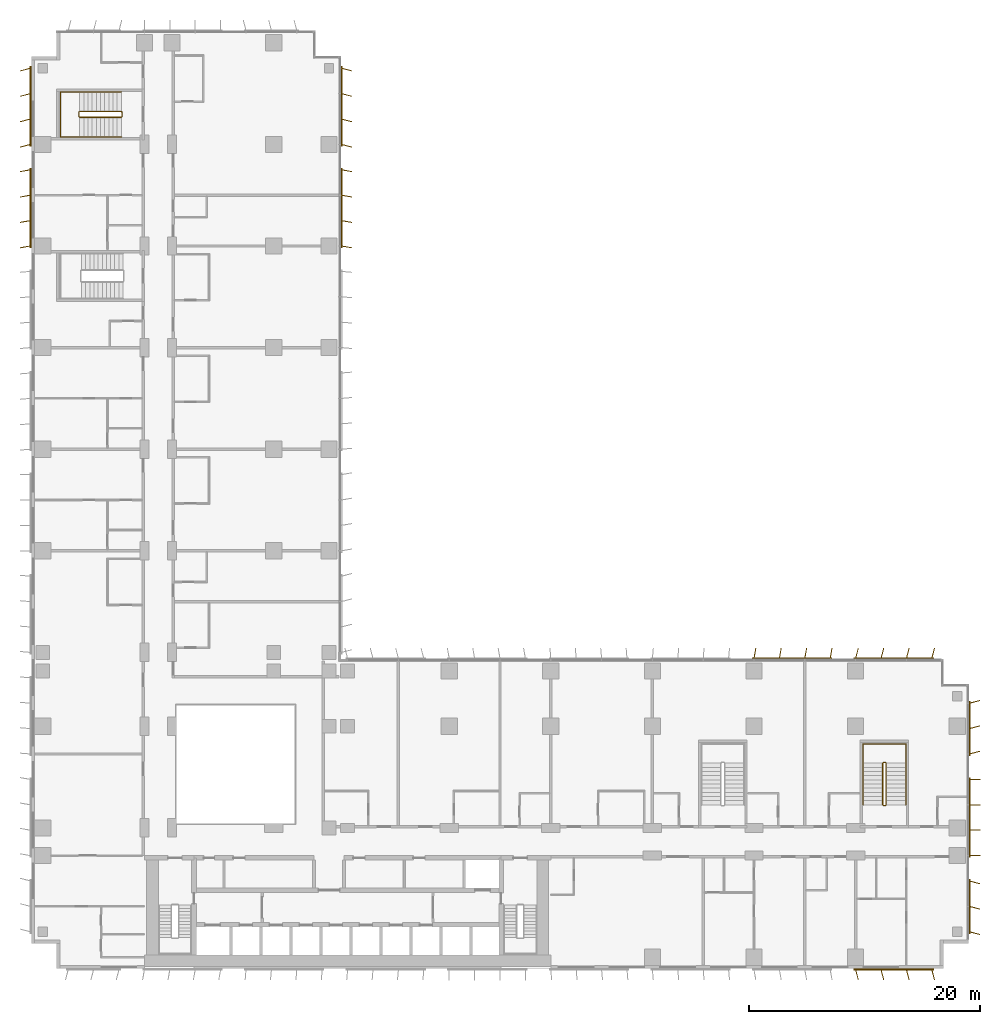
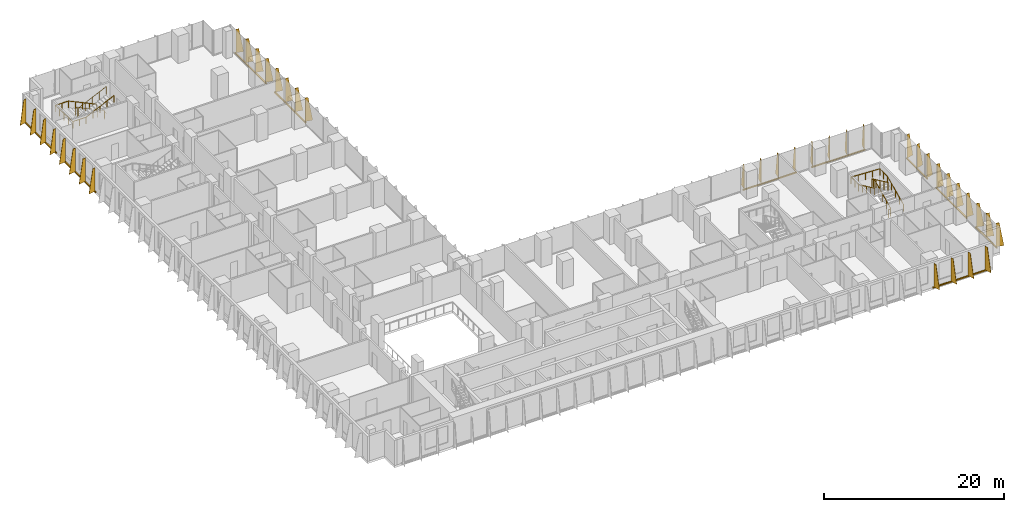
# One storey, part 23 of 24: 10 shading devices, 4 railings.
"""IFC4 building model written with IfcOpenShell, lengths in metres."""

from ifc_helpers import new_model, si_unit, direction, frame, origin, origin_2d, place, context, subcontext, project, spatial, polyline, rectangle, circle, outline, extrude, source, transform, mapped, material, layer, layer_set, type_object, element, save


model = new_model("IFC4")

# Units and contexts
model_context = context("Model", 3, precision=1e-05, world=origin(), true_north=direction((0.0, 1.0)))
body_context = subcontext(model_context, "Body", "Model", "MODEL_VIEW")
ifc_project = project(units=[si_unit("LENGTHUNIT", "METRE"), si_unit("AREAUNIT", "SQUARE_METRE"), si_unit("VOLUMEUNIT", "CUBIC_METRE"), si_unit("PLANEANGLEUNIT", "RADIAN"), si_unit("MASSUNIT", "GRAM", prefix="KILO")], contexts=[model_context])

# Site, building, storey
site_placement = place(None, origin())
site = spatial("IfcSite", under=ifc_project, at=site_placement, CompositionType="ELEMENT")
building_placement = place(site_placement, origin())
building = spatial("IfcBuilding", under=site, at=building_placement, Name="Kemantara Hotel Tower", CompositionType="ELEMENT")
storey_placement = place(building_placement, frame((0.0, 0.0, 76.0)))
storey = spatial("IfcBuildingStorey", under=building, at=storey_placement, Name="L17", CompositionType="ELEMENT", Elevation=76.0)

# Railings
ifc_material_1 = material(Name="Stainless steel balustrade", Category="steel")
railing_type_1 = type_object("IfcRailingType", Name="Stair guard 1100 mm", PredefinedType="GUARDRAIL", material=ifc_material_1)
railing_1_placement = place(storey_placement, frame((73.75, 14.199951171875, 3.699951171875)))
element("IfcRailing", 1, at=railing_1_placement, inside=storey, type_object=railing_type_1, Name="L17 ST5 stair guard 1", PredefinedType="GUARDRAIL", context=body_context, shape_type="SweptSolid", body=[
    extrude(circle(Radius=0.02392578125, at=origin_2d()), frame((0.0, 0.0, 1.076171875), z_axis=(0.0, 0.906005689286, -0.423265508849), x_axis=(-1.0, 0.0, 0.0)), (0.0, 0.0, 1.0), 3.9736328125),
    extrude(circle(Radius=0.02392578125, at=origin_2d()), frame((0.0, 3.60009765625, -0.60595703125), z_axis=(0.274582412415, 0.274582412415, -0.921525364591), x_axis=(-0.707106781187, 0.707106781187, 0.0)), (0.0, 0.0, 1.0), 0.182373046875),
    extrude(circle(Radius=0.02392578125, at=origin_2d()), frame((0.050048828125, 3.650146484375, -0.77392578125), z_axis=(1.0, 0.0, 0.0), x_axis=(0.0, 1.0, 0.0)), (0.0, 0.0, 1.0), 0.199951171875),
    extrude(circle(Radius=0.02392578125, at=origin_2d()), frame((0.25, 3.650146484375, -0.77392578125), z_axis=(0.707106781187, -0.707106781187, 0.0), x_axis=(0.707106781187, 0.707106781187, 0.0)), (0.0, 0.0, 1.0), 0.07080078125),
    extrude(circle(Radius=0.02392578125, at=origin_2d()), frame((0.300048828125, 3.60009765625, -0.77392578125), z_axis=(0.0, -0.906005689286, -0.423265508849), x_axis=(1.0, 0.0, 0.0)), (0.0, 0.0, 1.0), 3.9736328125),
    extrude(circle(Radius=0.02392578125, at=origin_2d()), frame((0.300048828125, 0.0, -2.45556640625), z_axis=(-0.274243871929, -0.274243871929, -0.92172696468), x_axis=(0.707106781187, -0.707106781187, 0.0)), (0.0, 0.0, 1.0), 0.1826171875),
    extrude(circle(Radius=0.02392578125, at=origin_2d()), frame((0.25, -0.050048828125, -2.6240234375), z_axis=(-1.0, 0.0, 0.0), x_axis=(0.0, -1.0, 0.0)), (0.0, 0.0, 1.0), 0.199951171875),
    extrude(circle(Radius=0.02099609375, at=origin_2d()), origin(), (0.0, 0.0, 1.0), 1.052001953125),
    extrude(circle(Radius=0.02099609375, at=origin_2d()), frame((0.0, 0.89990234375, -0.42041015625)), (0.0, 0.0, 1.0), 1.052001953125),
    extrude(circle(Radius=0.02099609375, at=origin_2d()), frame((0.0, 1.800048828125, -0.8408203125)), (0.0, 0.0, 1.0), 1.052001953125),
    extrude(circle(Radius=0.02099609375, at=origin_2d()), frame((0.0, 2.7001953125, -1.261474609375)), (0.0, 0.0, 1.0), 1.052001953125),
    extrude(circle(Radius=0.02099609375, at=origin_2d()), frame((0.0, 3.60009765625, -1.681884765625)), (0.0, 0.0, 1.0), 1.052001953125),
    extrude(circle(Radius=0.02099609375, at=origin_2d()), frame((0.050048828125, 3.650146484375, -1.849853515625)), (0.0, 0.0, 1.0), 1.052001953125),
    extrude(circle(Radius=0.02099609375, at=origin_2d()), frame((0.25, 3.650146484375, -1.849853515625)), (0.0, 0.0, 1.0), 1.052001953125),
    extrude(circle(Radius=0.02099609375, at=origin_2d()), frame((0.300048828125, 3.60009765625, -1.849853515625)), (0.0, 0.0, 1.0), 1.052001953125),
    extrude(circle(Radius=0.02099609375, at=origin_2d()), frame((0.300048828125, 2.7001953125, -2.270263671875)), (0.0, 0.0, 1.0), 1.052001953125),
    extrude(circle(Radius=0.02099609375, at=origin_2d()), frame((0.300048828125, 1.800048828125, -2.69091796875)), (0.0, 0.0, 1.0), 1.052001953125),
    extrude(circle(Radius=0.02099609375, at=origin_2d()), frame((0.300048828125, 0.89990234375, -3.111328125)), (0.0, 0.0, 1.0), 1.052001953125),
    extrude(circle(Radius=0.02099609375, at=origin_2d()), frame((0.300048828125, 0.0, -3.53173828125)), (0.0, 0.0, 1.0), 1.052001953125),
    extrude(circle(Radius=0.02099609375, at=origin_2d()), frame((0.25, -0.050048828125, -3.699951171875)), (0.0, 0.0, 1.0), 1.052001953125),
    extrude(circle(Radius=0.02099609375, at=origin_2d()), frame((0.050048828125, -0.050048828125, -3.699951171875)), (0.0, 0.0, 1.0), 1.052001953125),
])
railing_2_placement = place(storey_placement, frame((7.800048828125, 73.75, 3.699951171875)))
element("IfcRailing", 2, at=railing_2_placement, inside=storey, type_object=railing_type_1, Name="L17 ST6 stair guard 1", PredefinedType="GUARDRAIL", context=body_context, shape_type="SweptSolid", body=[
    extrude(circle(Radius=0.02392578125, at=origin_2d()), frame((0.0, 0.0, 1.076171875), z_axis=(-0.906005689286, 0.0, -0.423265508849), x_axis=(0.0, -1.0, 0.0)), (0.0, 0.0, 1.0), 3.9736328125),
    extrude(circle(Radius=0.02392578125, at=origin_2d()), frame((-3.60009765625, 0.0, -0.60595703125), z_axis=(-0.274582412415, 0.274582412415, -0.921525364591), x_axis=(-0.707106781187, -0.707106781187, 0.0)), (0.0, 0.0, 1.0), 0.182373046875),
    extrude(circle(Radius=0.02392578125, at=origin_2d()), frame((-3.650146484375, 0.050048828125, -0.77392578125), z_axis=(0.0, 1.0, 0.0), x_axis=(-1.0, 0.0, 0.0)), (0.0, 0.0, 1.0), 0.39990234375),
    extrude(circle(Radius=0.02392578125, at=origin_2d()), frame((-3.650146484375, 0.449951171875, -0.77392578125), z_axis=(0.707106781187, 0.707106781187, 0.0), x_axis=(-0.707106781187, 0.707106781187, 0.0)), (0.0, 0.0, 1.0), 0.07080078125),
    extrude(circle(Radius=0.02392578125, at=origin_2d()), frame((-3.60009765625, 0.5, -0.77392578125), z_axis=(0.906005689286, 0.0, -0.423265508849), x_axis=(0.0, 1.0, 0.0)), (0.0, 0.0, 1.0), 3.9736328125),
    extrude(circle(Radius=0.02392578125, at=origin_2d()), frame((0.0, 0.5, -2.45556640625), z_axis=(0.274243871929, -0.274243871929, -0.92172696468), x_axis=(0.707106781187, 0.707106781187, 0.0)), (0.0, 0.0, 1.0), 0.1826171875),
    extrude(circle(Radius=0.02392578125, at=origin_2d()), frame((0.050048828125, 0.449951171875, -2.6240234375), z_axis=(0.0, -1.0, 0.0), x_axis=(1.0, 0.0, 0.0)), (0.0, 0.0, 1.0), 0.39990234375),
    extrude(circle(Radius=0.02099609375, at=origin_2d()), origin(), (0.0, 0.0, 1.0), 1.052001953125),
    extrude(circle(Radius=0.02099609375, at=origin_2d()), frame((-0.89990234375, 0.0, -0.42041015625)), (0.0, 0.0, 1.0), 1.052001953125),
    extrude(circle(Radius=0.02099609375, at=origin_2d()), frame((-1.800048828125, 0.0, -0.8408203125)), (0.0, 0.0, 1.0), 1.052001953125),
    extrude(circle(Radius=0.02099609375, at=origin_2d()), frame((-2.7001953125, 0.0, -1.261474609375)), (0.0, 0.0, 1.0), 1.052001953125),
    extrude(circle(Radius=0.02099609375, at=origin_2d()), frame((-3.60009765625, 0.0, -1.681884765625)), (0.0, 0.0, 1.0), 1.052001953125),
    extrude(circle(Radius=0.02099609375, at=origin_2d()), frame((-3.650146484375, 0.050048828125, -1.849853515625)), (0.0, 0.0, 1.0), 1.052001953125),
    extrude(circle(Radius=0.02099609375, at=origin_2d()), frame((-3.650146484375, 0.449951171875, -1.849853515625)), (0.0, 0.0, 1.0), 1.052001953125),
    extrude(circle(Radius=0.02099609375, at=origin_2d()), frame((-3.60009765625, 0.5, -1.849853515625)), (0.0, 0.0, 1.0), 1.052001953125),
    extrude(circle(Radius=0.02099609375, at=origin_2d()), frame((-2.7001953125, 0.5, -2.270263671875)), (0.0, 0.0, 1.0), 1.052001953125),
    extrude(circle(Radius=0.02099609375, at=origin_2d()), frame((-1.800048828125, 0.5, -2.69091796875)), (0.0, 0.0, 1.0), 1.052001953125),
    extrude(circle(Radius=0.02099609375, at=origin_2d()), frame((-0.89990234375, 0.5, -3.111328125)), (0.0, 0.0, 1.0), 1.052001953125),
    extrude(circle(Radius=0.02099609375, at=origin_2d()), frame((0.0, 0.5, -3.53173828125)), (0.0, 0.0, 1.0), 1.052001953125),
    extrude(circle(Radius=0.02099609375, at=origin_2d()), frame((0.050048828125, 0.449951171875, -3.699951171875)), (0.0, 0.0, 1.0), 1.052001953125),
    extrude(circle(Radius=0.02099609375, at=origin_2d()), frame((0.050048828125, 0.050048828125, -3.699951171875)), (0.0, 0.0, 1.0), 1.052001953125),
])
railing_type_2 = type_object("IfcRailingType", Name="Stair handrail 900 mm", PredefinedType="HANDRAIL", material=ifc_material_1)
railing_3_placement = place(storey_placement, frame((75.75, 14.199951171875, 0.168212890625)))
element("IfcRailing", 3, at=railing_3_placement, inside=storey, type_object=railing_type_2, Name="L17 ST5 stair handrail 1", PredefinedType="HANDRAIL", context=body_context, shape_type="SweptSolid", body=[
    extrude(circle(Radius=0.02392578125, at=origin_2d()), frame((0.0, 0.0, 0.8759765625), z_axis=(0.0, 0.906005689286, 0.423265508849), x_axis=(-1.0, 0.0, 0.0)), (0.0, 0.0, 1.0), 3.9736328125),
    extrude(circle(Radius=0.02392578125, at=origin_2d()), frame((0.0, 3.60009765625, 2.5576171875), z_axis=(0.0, 1.0, 0.0), x_axis=(-1.0, 0.0, 0.0)), (0.0, 0.0, 1.0), 1.679931640625),
    extrude(circle(Radius=0.02392578125, at=origin_2d()), frame((0.0, 5.280029296875, 2.5576171875), z_axis=(-0.998971120908, 0.0, 0.045350849963), x_axis=(0.0, -1.0, 0.0)), (0.0, 0.0, 1.0), 3.703857421875),
    extrude(circle(Radius=0.02392578125, at=origin_2d()), frame((-3.699951171875, 5.280029296875, 2.7255859375), z_axis=(0.0, -1.0, 0.0), x_axis=(1.0, 0.0, 0.0)), (0.0, 0.0, 1.0), 1.679931640625),
    extrude(circle(Radius=0.02392578125, at=origin_2d()), frame((-3.699951171875, 3.60009765625, 2.7255859375), z_axis=(0.0, -0.906005689286, 0.423265508849), x_axis=(1.0, 0.0, 0.0)), (0.0, 0.0, 1.0), 3.9736328125),
    extrude(circle(Radius=0.02099609375, at=origin_2d()), origin(), (0.0, 0.0, 1.0), 0.851806640625),
    extrude(circle(Radius=0.02099609375, at=origin_2d()), frame((0.0, 0.89990234375, 0.42041015625)), (0.0, 0.0, 1.0), 0.851806640625),
    extrude(circle(Radius=0.02099609375, at=origin_2d()), frame((0.0, 1.800048828125, 0.8408203125)), (0.0, 0.0, 1.0), 0.851806640625),
    extrude(circle(Radius=0.02099609375, at=origin_2d()), frame((0.0, 2.7001953125, 1.261474609375)), (0.0, 0.0, 1.0), 0.851806640625),
    extrude(circle(Radius=0.02099609375, at=origin_2d()), frame((0.0, 3.60009765625, 1.681884765625)), (0.0, 0.0, 1.0), 0.851806640625),
    extrude(circle(Radius=0.02099609375, at=origin_2d()), frame((0.0, 4.43994140625, 1.681884765625)), (0.0, 0.0, 1.0), 0.851806640625),
    extrude(circle(Radius=0.02099609375, at=origin_2d()), frame((0.0, 5.280029296875, 1.681884765625)), (0.0, 0.0, 1.0), 0.851806640625),
    extrude(circle(Radius=0.02099609375, at=origin_2d()), frame((-0.925048828125, 5.280029296875, 1.723876953125)), (0.0, 0.0, 1.0), 0.851806640625),
    extrude(circle(Radius=0.02099609375, at=origin_2d()), frame((-1.85009765625, 5.280029296875, 1.765869140625)), (0.0, 0.0, 1.0), 0.851806640625),
    extrude(circle(Radius=0.02099609375, at=origin_2d()), frame((-2.77490234375, 5.280029296875, 1.807861328125)), (0.0, 0.0, 1.0), 0.851806640625),
    extrude(circle(Radius=0.02099609375, at=origin_2d()), frame((-3.699951171875, 5.280029296875, 1.849853515625)), (0.0, 0.0, 1.0), 0.851806640625),
    extrude(circle(Radius=0.02099609375, at=origin_2d()), frame((-3.699951171875, 4.43994140625, 1.849853515625)), (0.0, 0.0, 1.0), 0.851806640625),
    extrude(circle(Radius=0.02099609375, at=origin_2d()), frame((-3.699951171875, 3.60009765625, 1.849853515625)), (0.0, 0.0, 1.0), 0.851806640625),
    extrude(circle(Radius=0.02099609375, at=origin_2d()), frame((-3.699951171875, 2.7001953125, 2.270263671875)), (0.0, 0.0, 1.0), 0.851806640625),
    extrude(circle(Radius=0.02099609375, at=origin_2d()), frame((-3.699951171875, 1.800048828125, 2.69091796875)), (0.0, 0.0, 1.0), 0.851806640625),
    extrude(circle(Radius=0.02099609375, at=origin_2d()), frame((-3.699951171875, 0.89990234375, 3.111328125)), (0.0, 0.0, 1.0), 0.851806640625),
    extrude(circle(Radius=0.02099609375, at=origin_2d()), frame((-3.699951171875, 0.0, 3.53173828125)), (0.0, 0.0, 1.0), 0.851806640625),
])
railing_4_placement = place(storey_placement, frame((7.800048828125, 75.949951171875, 0.168212890625)))
element("IfcRailing", 4, at=railing_4_placement, inside=storey, type_object=railing_type_2, Name="L17 ST6 stair handrail 1", PredefinedType="HANDRAIL", context=body_context, shape_type="SweptSolid", body=[
    extrude(circle(Radius=0.02392578125, at=origin_2d()), frame((0.0, 0.0, 0.8759765625), z_axis=(-0.906005689286, 0.0, 0.423265508849), x_axis=(0.0, -1.0, 0.0)), (0.0, 0.0, 1.0), 3.9736328125),
    extrude(circle(Radius=0.02392578125, at=origin_2d()), frame((-3.60009765625, 0.0, 2.5576171875), z_axis=(-1.0, 0.0, 0.0), x_axis=(0.0, -1.0, 0.0)), (0.0, 0.0, 1.0), 1.679931640625),
    extrude(circle(Radius=0.02392578125, at=origin_2d()), frame((-5.280029296875, 0.0, 2.5576171875), z_axis=(0.0, -0.999073776461, 0.043030096294), x_axis=(1.0, 0.0, 0.0)), (0.0, 0.0, 1.0), 3.903564453125),
    extrude(circle(Radius=0.02392578125, at=origin_2d()), frame((-5.280029296875, -3.89990234375, 2.7255859375), z_axis=(1.0, 0.0, 0.0), x_axis=(0.0, 1.0, 0.0)), (0.0, 0.0, 1.0), 1.679931640625),
    extrude(circle(Radius=0.02392578125, at=origin_2d()), frame((-3.60009765625, -3.89990234375, 2.7255859375), z_axis=(0.906005689286, 0.0, 0.423265508849), x_axis=(0.0, 1.0, 0.0)), (0.0, 0.0, 1.0), 3.9736328125),
    extrude(circle(Radius=0.02099609375, at=origin_2d()), origin(), (0.0, 0.0, 1.0), 0.851806640625),
    extrude(circle(Radius=0.02099609375, at=origin_2d()), frame((-0.89990234375, 0.0, 0.42041015625)), (0.0, 0.0, 1.0), 0.851806640625),
    extrude(circle(Radius=0.02099609375, at=origin_2d()), frame((-1.800048828125, 0.0, 0.8408203125)), (0.0, 0.0, 1.0), 0.851806640625),
    extrude(circle(Radius=0.02099609375, at=origin_2d()), frame((-2.7001953125, 0.0, 1.261474609375)), (0.0, 0.0, 1.0), 0.851806640625),
    extrude(circle(Radius=0.02099609375, at=origin_2d()), frame((-3.60009765625, 0.0, 1.681884765625)), (0.0, 0.0, 1.0), 0.851806640625),
    extrude(circle(Radius=0.02099609375, at=origin_2d()), frame((-4.43994140625, 0.0, 1.681884765625)), (0.0, 0.0, 1.0), 0.851806640625),
    extrude(circle(Radius=0.02099609375, at=origin_2d()), frame((-5.280029296875, 0.0, 1.681884765625)), (0.0, 0.0, 1.0), 0.851806640625),
    extrude(circle(Radius=0.02099609375, at=origin_2d()), frame((-5.280029296875, -0.97509765625, 1.723876953125)), (0.0, 0.0, 1.0), 0.851806640625),
    extrude(circle(Radius=0.02099609375, at=origin_2d()), frame((-5.280029296875, -1.949951171875, 1.765869140625)), (0.0, 0.0, 1.0), 0.851806640625),
    extrude(circle(Radius=0.02099609375, at=origin_2d()), frame((-5.280029296875, -2.9248046875, 1.807861328125)), (0.0, 0.0, 1.0), 0.851806640625),
    extrude(circle(Radius=0.02099609375, at=origin_2d()), frame((-5.280029296875, -3.89990234375, 1.849853515625)), (0.0, 0.0, 1.0), 0.851806640625),
    extrude(circle(Radius=0.02099609375, at=origin_2d()), frame((-4.43994140625, -3.89990234375, 1.849853515625)), (0.0, 0.0, 1.0), 0.851806640625),
    extrude(circle(Radius=0.02099609375, at=origin_2d()), frame((-3.60009765625, -3.89990234375, 1.849853515625)), (0.0, 0.0, 1.0), 0.851806640625),
    extrude(circle(Radius=0.02099609375, at=origin_2d()), frame((-2.7001953125, -3.89990234375, 2.270263671875)), (0.0, 0.0, 1.0), 0.851806640625),
    extrude(circle(Radius=0.02099609375, at=origin_2d()), frame((-1.800048828125, -3.89990234375, 2.69091796875)), (0.0, 0.0, 1.0), 0.851806640625),
    extrude(circle(Radius=0.02099609375, at=origin_2d()), frame((-0.89990234375, -3.89990234375, 3.111328125)), (0.0, 0.0, 1.0), 0.851806640625),
    extrude(circle(Radius=0.02099609375, at=origin_2d()), frame((0.0, -3.89990234375, 3.53173828125)), (0.0, 0.0, 1.0), 0.851806640625),
])

# Shading devices
ifc_material_2 = material(Name="Perforated aluminium plate 4 mm bronze anodised", Category="aluminium")
ifc_layer_1 = layer(ifc_material_2, 0.0400390625)
ifc_layer_set_1 = layer_set([ifc_layer_1], Name="Perforated aluminium plate 4 mm bronze anodised")
shading_device_type_1 = type_object("IfcShadingDeviceType", Name="SCREEN FIN CASSETTE, 3 BLADES AT -15.0 DEG, 3200 HIGH", PredefinedType="USERDEFINED", material=ifc_layer_set_1)
shared_shape_1 = source(origin(), body_context, "Body", "SweptSolid", [
    extrude(rectangle(XDim=4.699951171875, YDim=0.14990234375, at=origin_2d()), frame((2.199951171875, -0.074951171875, -0.14990234375), z_axis=(0.0, 0.0, 1.0), x_axis=(1.0, 0.0, 0.0)), (0.0, 0.0, 1.0), 0.14990234375),
    extrude(outline(polyline([(0.0, 0.0), (0.89990234375, 0.0), (0.35009765625, 3.199951171875), (0.0, 3.199951171875), (0.0, 0.0)])), frame((0.019287109375, -0.080078125, 0.0), z_axis=(-0.966437683387, 0.256901156343, 0.0), x_axis=(-0.256901156343, -0.966437683387, 0.0)), (0.0, 0.0, 1.0), 0.039794921875),
    extrude(outline(polyline([(0.0, 0.0), (0.89990234375, 0.0), (0.35009765625, 3.199951171875), (0.0, 3.199951171875), (0.0, 0.0)])), frame((2.21923828125, -0.080078125, 0.0), z_axis=(-0.966437683387, 0.256901156343, 0.0), x_axis=(-0.256901156343, -0.966437683387, 0.0)), (0.0, 0.0, 1.0), 0.039794921875),
    extrude(outline(polyline([(0.0, 0.0), (0.89990234375, 0.0), (0.35009765625, 3.199951171875), (0.0, 3.199951171875), (0.0, 0.0)])), frame((4.41943359375, -0.080078125, 0.0), z_axis=(-0.966837822169, 0.255391122837, 0.0), x_axis=(-0.255391122837, -0.966837822169, 0.0)), (0.0, 0.0, 1.0), 0.0400390625),
])
shading_device_1_placement = place(storey_placement, frame((81.199951171875, 3.199951171875, 0.10009765625), z_axis=(0.0, 0.0, 1.0), x_axis=(0.0, 1.0, 0.0)))
element("IfcShadingDevice", 5, at=shading_device_1_placement, inside=storey, type_object=shading_device_type_1, Name="SCREEN FIN CASSETTE L17 T1-R04-1", ObjectType="SCREEN FIN", PredefinedType="USERDEFINED", context=body_context, shape_type="MappedRepresentation", body=[
    mapped(shared_shape_1, transform((0.0, 0.0, 0.0))),
])
ifc_layer_2 = layer(ifc_material_2, 0.0400390625)
ifc_layer_set_2 = layer_set([ifc_layer_2], Name="Perforated aluminium plate 4 mm bronze anodised")
shading_device_type_2 = type_object("IfcShadingDeviceType", Name="SCREEN FIN CASSETTE, 4 BLADES AT -10.0 DEG, 3200 HIGH", PredefinedType="USERDEFINED", material=ifc_layer_set_2)
shared_shape_2 = source(origin(), body_context, "Body", "SweptSolid", [
    extrude(rectangle(XDim=6.89990234375, YDim=0.14990234375, at=origin_2d()), frame((3.300048828125, -0.074951171875, -0.14990234375), z_axis=(0.0, 0.0, 1.0), x_axis=(1.0, 0.0, 0.0)), (0.0, 0.0, 1.0), 0.14990234375),
    extrude(outline(polyline([(0.0, 0.0), (0.89990234375, 0.0), (0.35009765625, 3.199951171875), (0.0, 3.199951171875), (0.0, 0.0)])), frame((0.019775390625, -0.078369140625, 0.0), z_axis=(-0.985389793052, 0.170314285219, 0.0), x_axis=(-0.170314285219, -0.985389793052, 0.0)), (0.0, 0.0, 1.0), 0.0400390625),
    extrude(outline(polyline([(0.0, 0.0), (0.89990234375, 0.0), (0.35009765625, 3.199951171875), (0.0, 3.199951171875), (0.0, 0.0)])), frame((2.2197265625, -0.078369140625, 0.0), z_axis=(-0.98521175482, 0.171341174751, 0.0), x_axis=(-0.171341174751, -0.98521175482, 0.0)), (0.0, 0.0, 1.0), 0.039794921875),
    extrude(outline(polyline([(0.0, 0.0), (0.89990234375, 0.0), (0.35009765625, 3.199951171875), (0.0, 3.199951171875), (0.0, 0.0)])), frame((4.419677734375, -0.078369140625, 0.0), z_axis=(-0.98521175482, 0.171341174751, 0.0), x_axis=(-0.171341174751, -0.98521175482, 0.0)), (0.0, 0.0, 1.0), 0.039794921875),
    extrude(outline(polyline([(0.0, 0.0), (0.89990234375, 0.0), (0.35009765625, 3.199951171875), (0.0, 3.199951171875), (0.0, 0.0)])), frame((6.61962890625, -0.078369140625, 0.0), z_axis=(-0.98521175482, 0.171341174751, 0.0), x_axis=(-0.171341174751, -0.98521175482, 0.0)), (0.0, 0.0, 1.0), 0.039794921875),
])
for number, where, z_axis, x_axis, name in (
    (6, (69.199951171875, 26.800048828125, 0.10009765625), (0.0, 0.0, 1.0), (-1.0, 0.0, 0.0), "SCREEN FIN CASSETTE L17 T1-R07-2"),
    (7, (26.800048828125, 62.60009765625, 0.10009765625), (0.0, 0.0, 1.0), (0.0, 1.0, 0.0), "SCREEN FIN CASSETTE L17 T1-R08-5"),
):
    element("IfcShadingDevice", number, at=place(storey_placement, frame(where, z_axis=z_axis, x_axis=x_axis)), inside=storey, type_object=shading_device_type_2, Name=name, ObjectType="SCREEN FIN", PredefinedType="USERDEFINED", context=body_context, shape_type="MappedRepresentation", body=[
        mapped(shared_shape_2, transform((0.0, 0.0, 0.0))),
    ])
ifc_layer_3 = layer(ifc_material_2, 0.0400390625)
ifc_layer_set_3 = layer_set([ifc_layer_3], Name="Perforated aluminium plate 4 mm bronze anodised")
shading_device_type_3 = type_object("IfcShadingDeviceType", Name="SCREEN FIN CASSETTE, 4 BLADES AT +0.0 DEG, 3200 HIGH", PredefinedType="USERDEFINED", material=ifc_layer_set_3)
shared_shape_3 = source(origin(), body_context, "Body", "SweptSolid", [
    extrude(rectangle(XDim=6.89990234375, YDim=0.14990234375, at=origin_2d()), frame((3.300048828125, -0.074951171875, -0.14990234375), z_axis=(0.0, 0.0, 1.0), x_axis=(1.0, 0.0, 0.0)), (0.0, 0.0, 1.0), 0.14990234375),
    extrude(outline(polyline([(0.0, 0.0), (0.89990234375, 0.0), (0.35009765625, 3.199951171875), (0.0, 3.199951171875), (0.0, 0.0)])), frame((0.02001953125, -0.074951171875, 0.0), z_axis=(-1.0, 0.0, 0.0), x_axis=(0.0, -1.0, 0.0)), (0.0, 0.0, 1.0), 0.0400390625),
    extrude(outline(polyline([(0.0, 0.0), (0.89990234375, 0.0), (0.35009765625, 3.199951171875), (0.0, 3.199951171875), (0.0, 0.0)])), frame((2.219970703125, -0.074951171875, 0.0), z_axis=(-1.0, 0.0, 0.0), x_axis=(0.0, -1.0, 0.0)), (0.0, 0.0, 1.0), 0.0400390625),
    extrude(outline(polyline([(0.0, 0.0), (0.89990234375, 0.0), (0.35009765625, 3.199951171875), (0.0, 3.199951171875), (0.0, 0.0)])), frame((4.419921875, -0.074951171875, 0.0), z_axis=(-1.0, 0.0, 0.0), x_axis=(0.0, -1.0, 0.0)), (0.0, 0.0, 1.0), 0.0400390625),
    extrude(outline(polyline([(0.0, 0.0), (0.89990234375, 0.0), (0.35009765625, 3.199951171875), (0.0, 3.199951171875), (0.0, 0.0)])), frame((6.6201171875, -0.074951171875, 0.0), z_axis=(-1.0, 0.0, 0.0), x_axis=(0.0, -1.0, 0.0)), (0.0, 0.0, 1.0), 0.0400390625),
])
shading_device_2_placement = place(storey_placement, frame((81.199951171875, 9.800048828125, 0.10009765625), z_axis=(0.0, 0.0, 1.0), x_axis=(0.0, 1.0, 0.0)))
element("IfcShadingDevice", 8, at=shading_device_2_placement, inside=storey, type_object=shading_device_type_3, Name="SCREEN FIN CASSETTE L17 T1-R04-2", ObjectType="SCREEN FIN", PredefinedType="USERDEFINED", context=body_context, shape_type="MappedRepresentation", body=[
    mapped(shared_shape_3, transform((0.0, 0.0, 0.0))),
])
ifc_layer_4 = layer(ifc_material_2, 0.0400390625)
ifc_layer_set_4 = layer_set([ifc_layer_4], Name="Perforated aluminium plate 4 mm bronze anodised")
shading_device_type_4 = type_object("IfcShadingDeviceType", Name="SCREEN FIN CASSETTE, 4 BLADES AT +10.0 DEG, 3200 HIGH", PredefinedType="USERDEFINED", material=ifc_layer_set_4)
shared_shape_4 = source(origin(), body_context, "Body", "SweptSolid", [
    extrude(rectangle(XDim=6.89990234375, YDim=0.14990234375, at=origin_2d()), frame((3.300048828125, -0.074951171875, -0.14990234375), z_axis=(0.0, 0.0, 1.0), x_axis=(1.0, 0.0, 0.0)), (0.0, 0.0, 1.0), 0.14990234375),
    extrude(outline(polyline([(0.0, 0.0), (0.89990234375, 0.0), (0.35009765625, 3.199951171875), (0.0, 3.199951171875), (0.0, 0.0)])), frame((0.019775390625, -0.071533203125, 0.0), z_axis=(-0.985389793052, -0.170314285219, 0.0), x_axis=(0.170314285219, -0.985389793052, 0.0)), (0.0, 0.0, 1.0), 0.0400390625),
    extrude(outline(polyline([(0.0, 0.0), (0.89990234375, 0.0), (0.35009765625, 3.199951171875), (0.0, 3.199951171875), (0.0, 0.0)])), frame((2.2197265625, -0.071533203125, 0.0), z_axis=(-0.98521175482, -0.171341174751, 0.0), x_axis=(0.171341174751, -0.98521175482, 0.0)), (0.0, 0.0, 1.0), 0.039794921875),
    extrude(outline(polyline([(0.0, 0.0), (0.89990234375, 0.0), (0.35009765625, 3.199951171875), (0.0, 3.199951171875), (0.0, 0.0)])), frame((4.419677734375, -0.071533203125, 0.0), z_axis=(-0.98521175482, -0.171341174751, 0.0), x_axis=(0.171341174751, -0.98521175482, 0.0)), (0.0, 0.0, 1.0), 0.039794921875),
    extrude(outline(polyline([(0.0, 0.0), (0.89990234375, 0.0), (0.35009765625, 3.199951171875), (0.0, 3.199951171875), (0.0, 0.0)])), frame((6.61962890625, -0.071533203125, 0.0), z_axis=(-0.98521175482, -0.171341174751, 0.0), x_axis=(0.171341174751, -0.98521175482, 0.0)), (0.0, 0.0, 1.0), 0.039794921875),
])
shading_device_3_placement = place(storey_placement, frame((0.0, 69.199951171875, 0.10009765625), z_axis=(0.0, 0.0, 1.0), x_axis=(0.0, -1.0, 0.0)))
element("IfcShadingDevice", 9, at=shading_device_3_placement, inside=storey, type_object=shading_device_type_4, Name="SCREEN FIN CASSETTE L17 T1-R14-2", ObjectType="SCREEN FIN", PredefinedType="USERDEFINED", context=body_context, shape_type="MappedRepresentation", body=[
    mapped(shared_shape_4, transform((0.0, 0.0, 0.0))),
])
ifc_layer_5 = layer(ifc_material_2, 0.0400390625)
ifc_layer_set_5 = layer_set([ifc_layer_5], Name="Perforated aluminium plate 4 mm bronze anodised")
shading_device_type_5 = type_object("IfcShadingDeviceType", Name="SCREEN FIN CASSETTE, 4 BLADES AT +15.0 DEG, 3200 HIGH", PredefinedType="USERDEFINED", material=ifc_layer_set_5)
shared_shape_5 = source(origin(), body_context, "Body", "SweptSolid", [
    extrude(rectangle(XDim=6.89990234375, YDim=0.14990234375, at=origin_2d()), frame((3.300048828125, -0.074951171875, -0.14990234375), z_axis=(0.0, 0.0, 1.0), x_axis=(1.0, 0.0, 0.0)), (0.0, 0.0, 1.0), 0.14990234375),
    extrude(outline(polyline([(0.0, 0.0), (0.89990234375, 0.0), (0.35009765625, 3.199951171875), (0.0, 3.199951171875), (0.0, 0.0)])), frame((0.019287109375, -0.06982421875, 0.0), z_axis=(-0.966437683387, -0.256901156343, 0.0), x_axis=(0.256901156343, -0.966437683387, 0.0)), (0.0, 0.0, 1.0), 0.039794921875),
    extrude(outline(polyline([(0.0, 0.0), (0.89990234375, 0.0), (0.35009765625, 3.199951171875), (0.0, 3.199951171875), (0.0, 0.0)])), frame((2.21923828125, -0.06982421875, 0.0), z_axis=(-0.966437683387, -0.256901156343, 0.0), x_axis=(0.256901156343, -0.966437683387, 0.0)), (0.0, 0.0, 1.0), 0.039794921875),
    extrude(outline(polyline([(0.0, 0.0), (0.89990234375, 0.0), (0.35009765625, 3.199951171875), (0.0, 3.199951171875), (0.0, 0.0)])), frame((4.41943359375, -0.06982421875, 0.0), z_axis=(-0.966837822169, -0.255391122837, 0.0), x_axis=(0.255391122837, -0.966837822169, 0.0)), (0.0, 0.0, 1.0), 0.0400390625),
    extrude(outline(polyline([(0.0, 0.0), (0.89990234375, 0.0), (0.35009765625, 3.199951171875), (0.0, 3.199951171875), (0.0, 0.0)])), frame((6.619384765625, -0.06982421875, 0.0), z_axis=(-0.966837822169, -0.255391122837, 0.0), x_axis=(0.255391122837, -0.966837822169, 0.0)), (0.0, 0.0, 1.0), 0.0400390625),
])
for number, where, z_axis, x_axis, name in (
    (10, (71.39990234375, 0.0, 0.10009765625), (0.0, 0.0, 1.0), (1.0, 0.0, 0.0), "SCREEN FIN CASSETTE L17 T1-R01-9"),
    (11, (0.0, 78.0, 0.10009765625), (0.0, 0.0, 1.0), (0.0, -1.0, 0.0), "SCREEN FIN CASSETTE L17 T1-R14-1"),
):
    element("IfcShadingDevice", number, at=place(storey_placement, frame(where, z_axis=z_axis, x_axis=x_axis)), inside=storey, type_object=shading_device_type_5, Name=name, ObjectType="SCREEN FIN", PredefinedType="USERDEFINED", context=body_context, shape_type="MappedRepresentation", body=[
        mapped(shared_shape_5, transform((0.0, 0.0, 0.0))),
    ])
ifc_layer_6 = layer(ifc_material_2, 0.0400390625)
ifc_layer_set_6 = layer_set([ifc_layer_6], Name="Perforated aluminium plate 4 mm bronze anodised")
shading_device_type_6 = type_object("IfcShadingDeviceType", Name="SCREEN FIN CASSETTE, 3 BLADES AT +15.0 DEG, 3200 HIGH", PredefinedType="USERDEFINED", material=ifc_layer_set_6)
shared_shape_6 = source(origin(), body_context, "Body", "SweptSolid", [
    extrude(rectangle(XDim=4.699951171875, YDim=0.14990234375, at=origin_2d()), frame((2.199951171875, -0.074951171875, -0.14990234375), z_axis=(0.0, 0.0, 1.0), x_axis=(1.0, 0.0, 0.0)), (0.0, 0.0, 1.0), 0.14990234375),
    extrude(outline(polyline([(0.0, 0.0), (0.89990234375, 0.0), (0.35009765625, 3.199951171875), (0.0, 3.199951171875), (0.0, 0.0)])), frame((0.019287109375, -0.06982421875, 0.0), z_axis=(-0.966437683387, -0.256901156343, 0.0), x_axis=(0.256901156343, -0.966437683387, 0.0)), (0.0, 0.0, 1.0), 0.039794921875),
    extrude(outline(polyline([(0.0, 0.0), (0.89990234375, 0.0), (0.35009765625, 3.199951171875), (0.0, 3.199951171875), (0.0, 0.0)])), frame((2.21923828125, -0.06982421875, 0.0), z_axis=(-0.966437683387, -0.256901156343, 0.0), x_axis=(0.256901156343, -0.966437683387, 0.0)), (0.0, 0.0, 1.0), 0.039794921875),
    extrude(outline(polyline([(0.0, 0.0), (0.89990234375, 0.0), (0.35009765625, 3.199951171875), (0.0, 3.199951171875), (0.0, 0.0)])), frame((4.41943359375, -0.06982421875, 0.0), z_axis=(-0.966837822169, -0.255391122837, 0.0), x_axis=(0.255391122837, -0.966837822169, 0.0)), (0.0, 0.0, 1.0), 0.0400390625),
])
shading_device_4_placement = place(storey_placement, frame((81.199951171875, 18.60009765625, 0.10009765625), z_axis=(0.0, 0.0, 1.0), x_axis=(0.0, 1.0, 0.0)))
element("IfcShadingDevice", 12, at=shading_device_4_placement, inside=storey, type_object=shading_device_type_6, Name="SCREEN FIN CASSETTE L17 T1-R04-3", ObjectType="SCREEN FIN", PredefinedType="USERDEFINED", context=body_context, shape_type="MappedRepresentation", body=[
    mapped(shared_shape_6, transform((0.0, 0.0, 0.0))),
])
ifc_layer_7 = layer(ifc_material_2, 0.0400390625)
ifc_layer_set_7 = layer_set([ifc_layer_7], Name="Perforated aluminium plate 4 mm bronze anodised")
shading_device_type_7 = type_object("IfcShadingDeviceType", Name="SCREEN FIN CASSETTE, 4 BLADES AT -15.0 DEG, 3200 HIGH", PredefinedType="USERDEFINED", material=ifc_layer_set_7)
shared_shape_7 = source(origin(), body_context, "Body", "SweptSolid", [
    extrude(rectangle(XDim=6.89990234375, YDim=0.14990234375, at=origin_2d()), frame((3.300048828125, -0.074951171875, -0.14990234375), z_axis=(0.0, 0.0, 1.0), x_axis=(1.0, 0.0, 0.0)), (0.0, 0.0, 1.0), 0.14990234375),
    extrude(outline(polyline([(0.0, 0.0), (0.89990234375, 0.0), (0.35009765625, 3.199951171875), (0.0, 3.199951171875), (0.0, 0.0)])), frame((0.019287109375, -0.080078125, 0.0), z_axis=(-0.966437683387, 0.256901156343, 0.0), x_axis=(-0.256901156343, -0.966437683387, 0.0)), (0.0, 0.0, 1.0), 0.039794921875),
    extrude(outline(polyline([(0.0, 0.0), (0.89990234375, 0.0), (0.35009765625, 3.199951171875), (0.0, 3.199951171875), (0.0, 0.0)])), frame((2.21923828125, -0.080078125, 0.0), z_axis=(-0.966437683387, 0.256901156343, 0.0), x_axis=(-0.256901156343, -0.966437683387, 0.0)), (0.0, 0.0, 1.0), 0.039794921875),
    extrude(outline(polyline([(0.0, 0.0), (0.89990234375, 0.0), (0.35009765625, 3.199951171875), (0.0, 3.199951171875), (0.0, 0.0)])), frame((4.41943359375, -0.080078125, 0.0), z_axis=(-0.966837822169, 0.255391122837, 0.0), x_axis=(-0.255391122837, -0.966837822169, 0.0)), (0.0, 0.0, 1.0), 0.0400390625),
    extrude(outline(polyline([(0.0, 0.0), (0.89990234375, 0.0), (0.35009765625, 3.199951171875), (0.0, 3.199951171875), (0.0, 0.0)])), frame((6.619384765625, -0.080078125, 0.0), z_axis=(-0.966837822169, 0.255391122837, 0.0), x_axis=(-0.255391122837, -0.966837822169, 0.0)), (0.0, 0.0, 1.0), 0.0400390625),
])
for number, where, z_axis, x_axis, name in (
    (13, (78.0, 26.800048828125, 0.10009765625), (0.0, 0.0, 1.0), (-1.0, 0.0, 0.0), "SCREEN FIN CASSETTE L17 T1-R07-1"),
    (14, (26.800048828125, 71.39990234375, 0.10009765625), (0.0, 0.0, 1.0), (0.0, 1.0, 0.0), "SCREEN FIN CASSETTE L17 T1-R08-6"),
):
    element("IfcShadingDevice", number, at=place(storey_placement, frame(where, z_axis=z_axis, x_axis=x_axis)), inside=storey, type_object=shading_device_type_7, Name=name, ObjectType="SCREEN FIN", PredefinedType="USERDEFINED", context=body_context, shape_type="MappedRepresentation", body=[
        mapped(shared_shape_7, transform((0.0, 0.0, 0.0))),
    ])

save(model, "model.ifc")
